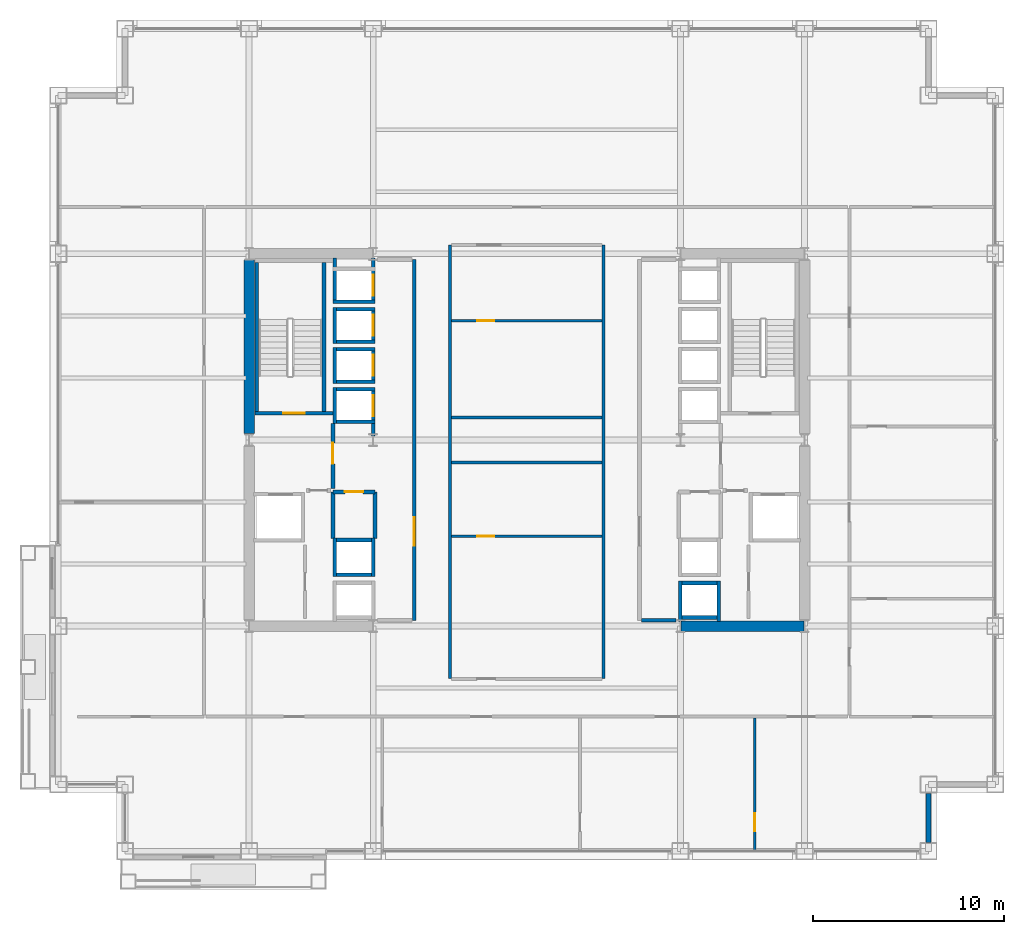
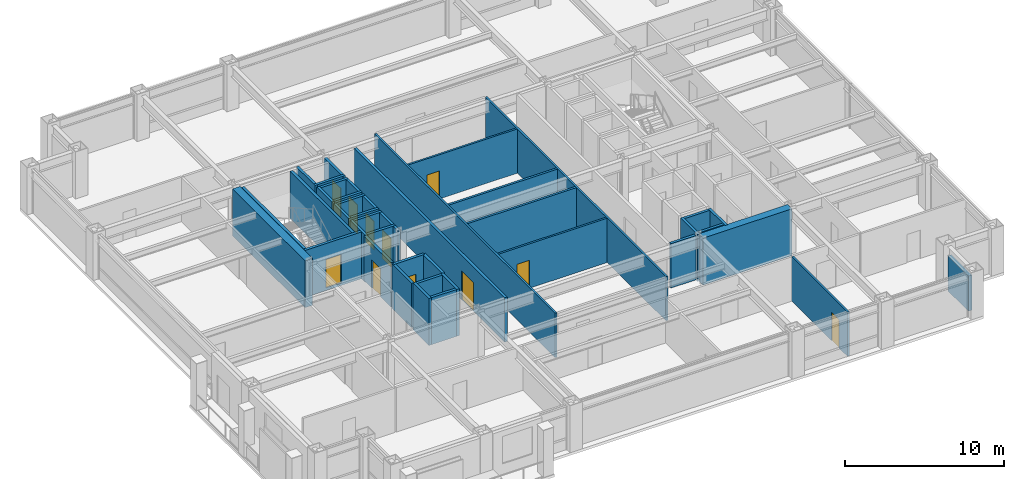
# One storey, part 25 of 29: 42 walls, 11 doors, 11 openings.
"""IFC4 building model written with IfcOpenShell, lengths in metres."""

from ifc_helpers import new_model, si_unit, direction, frame, frame_2d, origin, place, context, subcontext, project, spatial, rectangle, extrude, material, layer, layer_set, type_object, element, fill, save


model = new_model("IFC4")

# Units and contexts
model_context = context("Model", 3, precision=1e-05, world=origin(), true_north=direction((0.0, 1.0)))
body_context = subcontext(model_context, "Body", "Model", "MODEL_VIEW")
ifc_project = project(units=[si_unit("LENGTHUNIT", "METRE"), si_unit("AREAUNIT", "SQUARE_METRE"), si_unit("VOLUMEUNIT", "CUBIC_METRE"), si_unit("PLANEANGLEUNIT", "RADIAN"), si_unit("MASSUNIT", "GRAM", prefix="KILO")], contexts=[model_context])

# Site, building, storey
site_placement = place(None, origin())
site = spatial("IfcSite", under=ifc_project, at=site_placement, CompositionType="ELEMENT")
building_placement = place(site_placement, origin())
building = spatial("IfcBuilding", under=site, at=building_placement, Name="Brelmoor Portico Tower", CompositionType="ELEMENT")
storey_placement = place(building_placement, frame((0.0, 0.0, 60.0)))
storey = spatial("IfcBuildingStorey", under=building, at=storey_placement, Name="L15", CompositionType="ELEMENT", Elevation=60.0)

# Walls
ifc_material_1 = material(Name="Concrete C60", Category="concrete")
ifc_layer_1 = layer(ifc_material_1, 0.550048828125)
ifc_layer_set_1 = layer_set([ifc_layer_1], Name="Concrete C60")
wall_type_1 = type_object("IfcWallType", Name="WL-CORE-550", PredefinedType="SHEAR", material=ifc_layer_set_1)
wall_1_placement = place(storey_placement, frame((-14.550048828125, 0.324951171875, -0.199951171875), z_axis=(0.0, 0.0, 1.0), x_axis=(0.0, 1.0, 0.0)))
element("IfcWall", 1, at=wall_1_placement, inside=storey, type_object=wall_type_1, Name="L15 WC Outer North Shear Wall", PredefinedType="SHEAR", context=body_context, shape_type="SweptSolid", body=[
    extrude(rectangle(XDim=9.10009765625, YDim=0.550048828125, at=frame_2d((4.550048828125, 0.0))), origin(), (0.0, 0.0, 1.0), 3.599853515625),
])
wall_2_placement = place(storey_placement, frame((8.070068359375, -9.75, -0.199951171875), z_axis=(0.0, 0.0, 1.0), x_axis=(1.0, 0.0, 0.0)))
element("IfcWall", 2, at=wall_2_placement, inside=storey, type_object=wall_type_1, Name="L15 EC South Shear Wall", PredefinedType="SHEAR", context=body_context, shape_type="SweptSolid", body=[
    extrude(rectangle(XDim=6.4599609375, YDim=0.550048828125, at=frame_2d((3.22998046875, 0.0))), origin(), (0.0, 0.0, 1.0), 3.599853515625),
])
ifc_material_2 = material(Name="Precast Concrete C40 Insulated Facade Wall", Category="concrete")
ifc_layer_2 = layer(ifc_material_2, 0.25)
ifc_layer_set_2 = layer_set([ifc_layer_2], Name="Precast Concrete C40 Insulated Facade Wall")
wall_type_2 = type_object("IfcWallType", Name="WL-EXT-250", PredefinedType="STANDARD", material=ifc_layer_set_2)
wall_3_placement = place(storey_placement, frame((21.050048828125, -21.090087890625, 0.0), z_axis=(0.0, 0.0, 1.0), x_axis=(0.0, 1.0, 0.0)))
element("IfcWall", 3, at=wall_3_placement, inside=storey, type_object=wall_type_2, Name="L15 Corner Notch Facade Wall NSEV1", PredefinedType="STANDARD", context=body_context, shape_type="SweptSolid", body=[
    extrude(rectangle(XDim=2.580078125, YDim=0.25, at=frame_2d((1.2900390625, 0.0))), origin(), (0.0, 0.0, 1.0), 2.699951171875),
])
ifc_material_3 = material(Name="Insulated Stud Suite Partition", Category="gypsum")
ifc_layer_3 = layer(ifc_material_3, 0.139892578125)
ifc_layer_set_3 = layer_set([ifc_layer_3], Name="Insulated Stud Suite Partition")
wall_type_3 = type_object("IfcWallType", Name="WL-PART-140", PredefinedType="PARTITIONING", material=ifc_layer_set_3)
for number, where, z_axis, x_axis, name in (
    (4, (-4.02001953125, -12.5, 0.0), (0.0, 0.0, 1.0), (0.0, 1.0, 0.0), "L15 Central Suite West Wall"),
    (5, (4.02001953125, -12.5, 0.0), (0.0, 0.0, 1.0), (0.0, 1.0, 0.0), "L15 Central Suite East Wall"),
):
    element("IfcWall", number, at=place(storey_placement, frame(where, z_axis=z_axis, x_axis=x_axis)), inside=storey, type_object=wall_type_3, Name=name, PredefinedType="PARTITIONING", context=body_context, shape_type="SweptSolid", body=[
        extrude(rectangle(XDim=22.699951171875, YDim=0.139892578125, at=frame_2d((11.35009765625, 0.0))), origin(), (0.0, 0.0, 1.0), 3.39990234375),
    ])

# Wall, opening, door
wall_4_placement = place(storey_placement, frame((-3.949951171875, 6.239990234375, 0.0), z_axis=(0.0, 0.0, 1.0), x_axis=(1.0, 0.0, 0.0)))
wall_4 = element("IfcWall", 6, at=wall_4_placement, inside=storey, type_object=wall_type_3, Name="L15 Central Archive Divider", PredefinedType="PARTITIONING", context=body_context, shape_type="SweptSolid", body=[
    extrude(rectangle(XDim=7.89990234375, YDim=0.139892578125, at=frame_2d((3.949951171875, 0.0))), origin(), (0.0, 0.0, 1.0), 3.39990234375),
])
opening_1_placement = place(wall_4_placement, frame((1.35009765625, 0.0, 0.0)))
opening_1 = element("IfcOpeningElement", 7, at=opening_1_placement, cuts=wall_4, Name="Opening D-IN1", PredefinedType="OPENING", context=body_context, shape_type="SweptSolid", body=[
    extrude(rectangle(XDim=0.89990234375, YDim=2.14990234375, at=frame_2d((0.449951171875, 1.074951171875))), frame((0.0, 0.079833984375, 0.0), z_axis=(0.0, -1.0, 0.0), x_axis=(1.0, 0.0, 0.0)), (0.0, 0.0, 1.0), 0.159912109375),
])
ifc_material_4 = material(Name="Lacquered Timber Suite Door", Category="wood")
door_type_1 = type_object("IfcDoorType", Name="DR-INT-900", OperationType="NOTDEFINED", PredefinedType="DOOR", material=ifc_material_4)
door_1_placement = place(opening_1_placement, origin())
door_1 = element("IfcDoor", 8, at=door_1_placement, inside=storey, type_object=door_type_1, Name="D-0664 L15 Central File Room Door", OperationType="SINGLE_SWING_LEFT", OverallHeight=2.14990234375, OverallWidth=0.89990234375, PredefinedType="DOOR", context=body_context, shape_type="SweptSolid", body=[
    extrude(rectangle(XDim=0.89990234375, YDim=2.14990234375, at=frame_2d((0.449951171875, 1.074951171875))), frame((0.0, 0.02490234375, 0.0), z_axis=(0.0, -1.0, 0.0), x_axis=(1.0, 0.0, 0.0)), (0.0, 0.0, 1.0), 0.050048828125),
])
fill(opening_1, door_1)

wall_5_placement = place(storey_placement, frame((-3.949951171875, -5.050048828125, 0.0), z_axis=(0.0, 0.0, 1.0), x_axis=(1.0, 0.0, 0.0)))
wall_5 = element("IfcWall", 9, at=wall_5_placement, inside=storey, type_object=wall_type_3, Name="L15 Central Print Divider", PredefinedType="PARTITIONING", context=body_context, shape_type="SweptSolid", body=[
    extrude(rectangle(XDim=7.89990234375, YDim=0.139892578125, at=frame_2d((3.949951171875, 0.0))), origin(), (0.0, 0.0, 1.0), 3.39990234375),
])
opening_2_placement = place(wall_5_placement, frame((1.35009765625, 0.0, 0.0)))
opening_2 = element("IfcOpeningElement", 10, at=opening_2_placement, cuts=wall_5, Name="Opening D-IN1", PredefinedType="OPENING", context=body_context, shape_type="SweptSolid", body=[
    extrude(rectangle(XDim=0.89990234375, YDim=2.14990234375, at=frame_2d((0.449951171875, 1.074951171875))), frame((0.0, 0.079833984375, 0.0), z_axis=(0.0, -1.0, 0.0), x_axis=(1.0, 0.0, 0.0)), (0.0, 0.0, 1.0), 0.159912109375),
])
door_2_placement = place(opening_2_placement, origin())
door_2 = element("IfcDoor", 11, at=door_2_placement, inside=storey, type_object=door_type_1, Name="D-0666 L15 Central Print Studio Door", OperationType="SINGLE_SWING_RIGHT", OverallHeight=2.14990234375, OverallWidth=0.89990234375, PredefinedType="DOOR", context=body_context, shape_type="SweptSolid", body=[
    extrude(rectangle(XDim=0.89990234375, YDim=2.14990234375, at=frame_2d((0.449951171875, 1.074951171875))), frame((0.0, 0.02490234375, 0.0), z_axis=(0.0, -1.0, 0.0), x_axis=(1.0, 0.0, 0.0)), (0.0, 0.0, 1.0), 0.050048828125),
])
fill(opening_2, door_2)

wall_6_placement = place(storey_placement, frame((11.946044921875, -21.56005859375, 0.0), z_axis=(0.0, 0.0, 1.0), x_axis=(0.0, 1.0, 0.0)))
wall_6 = element("IfcWall", 12, at=wall_6_placement, inside=storey, type_object=wall_type_3, Name="L15 South Suite Partition 3", PredefinedType="PARTITIONING", context=body_context, shape_type="SweptSolid", body=[
    extrude(rectangle(XDim=7.0, YDim=0.139892578125, at=frame_2d((3.5, 0.0))), origin(), (0.0, 0.0, 1.0), 3.39990234375),
])
opening_3_placement = place(wall_6_placement, frame((1.050048828125, 0.0, 0.0)))
opening_3 = element("IfcOpeningElement", 13, at=opening_3_placement, cuts=wall_6, Name="Opening D-IN2", PredefinedType="OPENING", context=body_context, shape_type="SweptSolid", body=[
    extrude(rectangle(XDim=0.9599609375, YDim=2.179931640625, at=frame_2d((0.47998046875, 1.08984375))), frame((0.0, 0.079833984375, 0.0), z_axis=(0.0, -1.0, 0.0), x_axis=(1.0, 0.0, 0.0)), (0.0, 0.0, 1.0), 0.159912109375),
])
door_type_2 = type_object("IfcDoorType", Name="DR-INT-950", OperationType="NOTDEFINED", PredefinedType="DOOR", material=ifc_material_4)
door_3_placement = place(opening_3_placement, origin())
door_3 = element("IfcDoor", 14, at=door_3_placement, inside=storey, type_object=door_type_2, Name="D-0686 L15 South Suite Connecting Door 3", OperationType="SINGLE_SWING_LEFT", OverallHeight=2.179931640625, OverallWidth=0.9599609375, PredefinedType="DOOR", context=body_context, shape_type="SweptSolid", body=[
    extrude(rectangle(XDim=0.9599609375, YDim=2.179931640625, at=frame_2d((0.47998046875, 1.08984375))), frame((0.0, 0.02490234375, 0.0), z_axis=(0.0, -1.0, 0.0), x_axis=(1.0, 0.0, 0.0)), (0.0, 0.0, 1.0), 0.050048828125),
])
fill(opening_3, door_3)

# Walls
ifc_material_5 = material(Name="Twin-Frame Acoustic Partition", Category="gypsum")
ifc_layer_4 = layer(ifc_material_5, 0.159912109375)
ifc_layer_set_4 = layer_set([ifc_layer_4], Name="Twin-Frame Acoustic Partition")
wall_type_4 = type_object("IfcWallType", Name="WL-PART-160", PredefinedType="PARTITIONING", material=ifc_layer_set_4)
for number, where, z_axis, x_axis, name in (
    (15, (-3.949951171875, 1.179931640625, 0.0), (0.0, 0.0, 1.0), (1.0, 0.0, 0.0), "L15 Central Meeting South Wall"),
    (16, (-3.949951171875, -1.179931640625, 0.0), (0.0, 0.0, 1.0), (1.0, 0.0, 0.0), "L15 Central Pantry North Wall"),
):
    element("IfcWall", number, at=place(storey_placement, frame(where, z_axis=z_axis, x_axis=x_axis)), inside=storey, type_object=wall_type_4, Name=name, PredefinedType="PARTITIONING", context=body_context, shape_type="SweptSolid", body=[
        extrude(rectangle(XDim=7.89990234375, YDim=0.159912109375, at=frame_2d((3.949951171875, 0.0))), origin(), (0.0, 0.0, 1.0), 3.39990234375),
    ])

# Wall, opening, door
ifc_material_6 = material(Name="Double-Stud Gypsum Fire Partition", Category="gypsum")
ifc_layer_5 = layer(ifc_material_6, 0.199951171875)
ifc_layer_set_5 = layer_set([ifc_layer_5], Name="Double-Stud Gypsum Fire Partition")
wall_type_5 = type_object("IfcWallType", Name="WL-PART-200", PredefinedType="PARTITIONING", material=ifc_layer_set_5)
wall_7_placement = place(storey_placement, frame((-5.89990234375, -9.449951171875, 0.0), z_axis=(0.0, 0.0, 1.0), x_axis=(0.0, 1.0, 0.0)))
wall_7 = element("IfcWall", 17, at=wall_7_placement, inside=storey, type_object=wall_type_5, Name="L15 W Core Lobby Compartment Wall", PredefinedType="PARTITIONING", context=body_context, shape_type="SweptSolid", body=[
    extrude(rectangle(XDim=18.89990234375, YDim=0.199951171875, at=frame_2d((9.449951171875, 0.0))), origin(), (0.0, 0.0, 1.0), 3.39990234375),
])
opening_4_placement = place(wall_7_placement, frame((3.89990234375, 0.0, 0.0)))
opening_4 = element("IfcOpeningElement", 18, at=opening_4_placement, cuts=wall_7, Name="Opening D-LB1", PredefinedType="OPENING", context=body_context, shape_type="SweptSolid", body=[
    extrude(rectangle(XDim=1.5, YDim=2.199951171875, at=frame_2d((0.75, 1.10009765625))), frame((0.0, 0.10986328125, 0.0), z_axis=(0.0, -1.0, 0.0), x_axis=(1.0, 0.0, 0.0)), (0.0, 0.0, 1.0), 0.219970703125),
])
ifc_material_7 = material(Name="Double-Leaf Glazed Steel Fire Door", Category="steel")
door_type_3 = type_object("IfcDoorType", Name="DR-LOBBY-1500", OperationType="NOTDEFINED", PredefinedType="DOOR", material=ifc_material_7)
door_4_placement = place(opening_4_placement, origin())
door_4 = element("IfcDoor", 19, at=door_4_placement, inside=storey, type_object=door_type_3, Name="D-0676 L15 W Lift Lobby Main Door", OperationType="DOUBLE_DOOR_SINGLE_SWING", OverallHeight=2.199951171875, OverallWidth=1.5, PredefinedType="DOOR", context=body_context, shape_type="SweptSolid", body=[
    extrude(rectangle(XDim=1.5, YDim=2.199951171875, at=frame_2d((0.75, 1.10009765625))), frame((0.0, 0.02490234375, 0.0), z_axis=(0.0, -1.0, 0.0), x_axis=(1.0, 0.0, 0.0)), (0.0, 0.0, 1.0), 0.050048828125),
])
fill(opening_4, door_4)

wall_8_placement = place(storey_placement, frame((-10.159912109375, -2.550048828125, 0.0), z_axis=(0.0, 0.0, 1.0), x_axis=(0.0, 1.0, 0.0)))
wall_8 = element("IfcWall", 20, at=wall_8_placement, inside=storey, type_object=wall_type_5, Name="L15 W Firefighting Lobby Wall", PredefinedType="PARTITIONING", context=body_context, shape_type="SweptSolid", body=[
    extrude(rectangle(XDim=3.400146484375, YDim=0.199951171875, at=frame_2d((1.7001953125, 0.0))), origin(), (0.0, 0.0, 1.0), 3.39990234375),
])
opening_5_placement = place(wall_8_placement, frame((1.300048828125, 0.0, 0.0)))
opening_5 = element("IfcOpeningElement", 21, at=opening_5_placement, cuts=wall_8, Name="Opening D-FR1", PredefinedType="OPENING", context=body_context, shape_type="SweptSolid", body=[
    extrude(rectangle(XDim=1.10009765625, YDim=2.14990234375, at=frame_2d((0.550048828125, 1.074951171875))), frame((0.0, 0.10986328125, 0.0), z_axis=(0.0, -1.0, 0.0), x_axis=(1.0, 0.0, 0.0)), (0.0, 0.0, 1.0), 0.219970703125),
])
ifc_material_8 = material(Name="Painted Galvanised Steel Fire Door", Category="steel")
door_type_4 = type_object("IfcDoorType", Name="DR-FIRE-1100", OperationType="NOTDEFINED", PredefinedType="DOOR", material=ifc_material_8)
door_5_placement = place(opening_5_placement, origin())
door_5 = element("IfcDoor", 22, at=door_5_placement, inside=storey, type_object=door_type_4, Name="D-0674 L15 W Firefighting Lobby Door", OperationType="SINGLE_SWING_LEFT", OverallHeight=2.14990234375, OverallWidth=1.10009765625, PredefinedType="DOOR", context=body_context, shape_type="SweptSolid", body=[
    extrude(rectangle(XDim=1.10009765625, YDim=2.14990234375, at=frame_2d((0.550048828125, 1.074951171875))), frame((0.0, 0.02490234375, 0.0), z_axis=(0.0, -1.0, 0.0), x_axis=(1.0, 0.0, 0.0)), (0.0, 0.0, 1.0), 0.050048828125),
])
fill(opening_5, door_5)

wall_9_placement = place(storey_placement, frame((-7.9599609375, -2.719970703125, 0.0), z_axis=(0.0, 0.0, 1.0), x_axis=(-1.0, 0.0, 0.0)))
wall_9 = element("IfcWall", 23, at=wall_9_placement, inside=storey, type_object=wall_type_5, Name="L15 W Electrical Switchgear Closet Wall", PredefinedType="PARTITIONING", context=body_context, shape_type="SweptSolid", body=[
    extrude(rectangle(XDim=2.199951171875, YDim=0.199951171875, at=frame_2d((1.10009765625, 0.0))), origin(), (0.0, 0.0, 1.0), 3.39990234375),
])
opening_6_placement = place(wall_9_placement, frame((0.6201171875, 0.0, 0.0)))
opening_6 = element("IfcOpeningElement", 24, at=opening_6_placement, cuts=wall_9, Name="Opening D-FR4", PredefinedType="OPENING", context=body_context, shape_type="SweptSolid", body=[
    extrude(rectangle(XDim=0.949951171875, YDim=2.10009765625, at=frame_2d((0.47509765625, 1.050048828125))), frame((0.0, 0.10986328125, 0.0), z_axis=(0.0, -1.0, 0.0), x_axis=(1.0, 0.0, 0.0)), (0.0, 0.0, 1.0), 0.219970703125),
])
ifc_material_9 = material(Name="Painted Galvanised Steel Riser Door", Category="steel")
door_type_5 = type_object("IfcDoorType", Name="DR-FIRE-950", OperationType="NOTDEFINED", PredefinedType="DOOR", material=ifc_material_9)
door_6_placement = place(opening_6_placement, origin())
door_6 = element("IfcDoor", 25, at=door_6_placement, inside=storey, type_object=door_type_5, Name="D-0672 L15 W Electrical Switchgear Closet Door", OperationType="SINGLE_SWING_LEFT", OverallHeight=2.10009765625, OverallWidth=0.949951171875, PredefinedType="DOOR", context=body_context, shape_type="SweptSolid", body=[
    extrude(rectangle(XDim=0.949951171875, YDim=2.10009765625, at=frame_2d((0.47509765625, 1.050048828125))), frame((0.0, 0.02490234375, 0.0), z_axis=(0.0, -1.0, 0.0), x_axis=(1.0, 0.0, 0.0)), (0.0, 0.0, 1.0), 0.050048828125),
])
fill(opening_6, door_6)

# Walls
for number, where, z_axis, x_axis, name in (
    (26, (-7.9599609375, -5.159912109375, 0.0), (0.0, 0.0, 1.0), (0.0, 1.0, 0.0), "L15 W Electrical Switchgear Closet Inner Wall"),
    (27, (-10.159912109375, -5.159912109375, 0.0), (0.0, 0.0, 1.0), (0.0, 1.0, 0.0), "L15 W Electrical Switchgear Closet Outer Wall"),
):
    element("IfcWall", number, at=place(storey_placement, frame(where, z_axis=z_axis, x_axis=x_axis)), inside=storey, type_object=wall_type_5, Name=name, PredefinedType="PARTITIONING", context=body_context, shape_type="SweptSolid", body=[
        extrude(rectangle(XDim=2.43994140625, YDim=0.199951171875, at=frame_2d((1.219970703125, 0.0))), origin(), (0.0, 0.0, 1.0), 3.39990234375),
    ])
wall_10_placement = place(storey_placement, frame((6.02001953125, -9.449951171875, 0.0), z_axis=(0.0, 0.0, 1.0), x_axis=(1.0, 0.0, 0.0)))
element("IfcWall", 28, at=wall_10_placement, inside=storey, type_object=wall_type_5, Name="L15 E Lift Lobby South End Wall", PredefinedType="PARTITIONING", context=body_context, shape_type="SweptSolid", body=[
    extrude(rectangle(XDim=1.800048828125, YDim=0.199951171875, at=frame_2d((0.89990234375, 0.0))), origin(), (0.0, 0.0, 1.0), 3.39990234375),
])

# Wall, opening, door
ifc_material_10 = material(Name="Precast Concrete C40", Category="concrete")
ifc_layer_6 = layer(ifc_material_10, 0.18994140625)
ifc_layer_set_6 = layer_set([ifc_layer_6], Name="Precast Concrete C40")
wall_type_6 = type_object("IfcWallType", Name="WL-SHAFT-180", PredefinedType="SOLIDWALL", material=ifc_layer_set_6)
wall_11_placement = place(storey_placement, frame((-8.044921875, 0.2099609375, -0.199951171875), z_axis=(0.0, 0.0, 1.0), x_axis=(0.0, 1.0, 0.0)))
wall_11 = element("IfcWall", 29, at=wall_11_placement, inside=storey, type_object=wall_type_6, Name="L15 Lift PL1 Hoistway Front Wall", PredefinedType="SOLIDWALL", context=body_context, shape_type="SweptSolid", body=[
    extrude(rectangle(XDim=2.5400390625, YDim=0.18994140625, at=frame_2d((1.27001953125, 0.0))), origin(), (0.0, 0.0, 1.0), 3.599853515625),
])
opening_7_placement = place(wall_11_placement, frame((1.0400390625, 0.0, 0.199951171875)))
opening_7 = element("IfcOpeningElement", 30, at=opening_7_placement, cuts=wall_11, Name="Opening LD-01", PredefinedType="OPENING", context=body_context, shape_type="SweptSolid", body=[
    extrude(rectangle(XDim=1.10009765625, YDim=2.199951171875, at=frame_2d((0.550048828125, 1.10009765625))), frame((0.0, 0.10498046875, 0.0), z_axis=(0.0, -1.0, 0.0), x_axis=(1.0, 0.0, 0.0)), (0.0, 0.0, 1.0), 0.2099609375),
])
ifc_material_11 = material(Name="Brushed Stainless Steel Sliding Lift Door", Category="steel")
door_type_6 = type_object("IfcDoorType", Name="DR-LIFT-1100", OperationType="NOTDEFINED", PredefinedType="DOOR", material=ifc_material_11)
door_7_placement = place(opening_7_placement, origin())
door_7 = element("IfcDoor", 31, at=door_7_placement, inside=storey, type_object=door_type_6, Name="D-0703 L15 Lift PL1 Sliding Landing Door", OperationType="SLIDING_TO_LEFT", OverallHeight=2.199951171875, OverallWidth=1.10009765625, PredefinedType="DOOR", context=body_context, shape_type="SweptSolid", body=[
    extrude(rectangle(XDim=1.10009765625, YDim=2.199951171875, at=frame_2d((0.550048828125, 1.10009765625))), frame((0.0, 0.02490234375, 0.0), z_axis=(0.0, -1.0, 0.0), x_axis=(1.0, 0.0, 0.0)), (0.0, 0.0, 1.0), 0.050048828125),
])
fill(opening_7, door_7)

# Walls
wall_12_placement = place(storey_placement, frame((-10.054931640625, 0.85009765625, -0.199951171875), z_axis=(0.0, 0.0, 1.0), x_axis=(0.0, 1.0, 0.0)))
element("IfcWall", 32, at=wall_12_placement, inside=storey, type_object=wall_type_6, Name="L15 Lift PL1 Hoistway Back Wall", PredefinedType="SOLIDWALL", context=body_context, shape_type="SweptSolid", body=[
    extrude(rectangle(XDim=1.89990234375, YDim=0.18994140625, at=frame_2d((0.949951171875, 0.0))), origin(), (0.0, 0.0, 1.0), 3.599853515625),
])
for number, where, z_axis, x_axis, name in (
    (33, (-10.14990234375, 2.655029296875, -0.199951171875), (0.0, 0.0, 1.0), (1.0, 0.0, 0.0), "L15 Lift PL1 Hoistway North Wall"),
    (34, (-10.14990234375, 0.945068359375, -0.199951171875), (0.0, 0.0, 1.0), (1.0, 0.0, 0.0), "L15 Lift PL1 Hoistway South Wall"),
):
    element("IfcWall", number, at=place(storey_placement, frame(where, z_axis=z_axis, x_axis=x_axis)), inside=storey, type_object=wall_type_6, Name=name, PredefinedType="SOLIDWALL", context=body_context, shape_type="SweptSolid", body=[
        extrude(rectangle(XDim=2.199951171875, YDim=0.18994140625, at=frame_2d((1.10009765625, 0.0))), origin(), (0.0, 0.0, 1.0), 3.599853515625),
    ])

# Wall, opening, door
wall_13_placement = place(storey_placement, frame((-8.044921875, 2.949951171875, -0.199951171875), z_axis=(0.0, 0.0, 1.0), x_axis=(0.0, 1.0, 0.0)))
wall_13 = element("IfcWall", 35, at=wall_13_placement, inside=storey, type_object=wall_type_6, Name="L15 Lift PL2 Hoistway Front Wall", PredefinedType="SOLIDWALL", context=body_context, shape_type="SweptSolid", body=[
    extrude(rectangle(XDim=1.900146484375, YDim=0.18994140625, at=frame_2d((0.9501953125, 0.0))), origin(), (0.0, 0.0, 1.0), 3.599853515625),
])
opening_8_placement = place(wall_13_placement, frame((0.39990234375, 0.0, 0.199951171875)))
opening_8 = element("IfcOpeningElement", 36, at=opening_8_placement, cuts=wall_13, Name="Opening LD-01", PredefinedType="OPENING", context=body_context, shape_type="SweptSolid", body=[
    extrude(rectangle(XDim=1.10009765625, YDim=2.199951171875, at=frame_2d((0.550048828125, 1.10009765625))), frame((0.0, 0.10498046875, 0.0), z_axis=(0.0, -1.0, 0.0), x_axis=(1.0, 0.0, 0.0)), (0.0, 0.0, 1.0), 0.2099609375),
])
door_8_placement = place(opening_8_placement, origin())
door_8 = element("IfcDoor", 37, at=door_8_placement, inside=storey, type_object=door_type_6, Name="D-0704 L15 Lift PL2 Sliding Landing Door", OperationType="SLIDING_TO_LEFT", OverallHeight=2.199951171875, OverallWidth=1.10009765625, PredefinedType="DOOR", context=body_context, shape_type="SweptSolid", body=[
    extrude(rectangle(XDim=1.10009765625, YDim=2.199951171875, at=frame_2d((0.550048828125, 1.10009765625))), frame((0.0, 0.02490234375, 0.0), z_axis=(0.0, -1.0, 0.0), x_axis=(1.0, 0.0, 0.0)), (0.0, 0.0, 1.0), 0.050048828125),
])
fill(opening_8, door_8)

# Walls
wall_14_placement = place(storey_placement, frame((-10.054931640625, 2.949951171875, -0.199951171875), z_axis=(0.0, 0.0, 1.0), x_axis=(0.0, 1.0, 0.0)))
element("IfcWall", 38, at=wall_14_placement, inside=storey, type_object=wall_type_6, Name="L15 Lift PL2 Hoistway Back Wall", PredefinedType="SOLIDWALL", context=body_context, shape_type="SweptSolid", body=[
    extrude(rectangle(XDim=1.900146484375, YDim=0.18994140625, at=frame_2d((0.9501953125, 0.0))), origin(), (0.0, 0.0, 1.0), 3.599853515625),
])
for number, where, z_axis, x_axis, name in (
    (39, (-10.14990234375, 4.7548828125, -0.199951171875), (0.0, 0.0, 1.0), (1.0, 0.0, 0.0), "L15 Lift PL2 Hoistway North Wall"),
    (40, (-10.14990234375, 3.044921875, -0.199951171875), (0.0, 0.0, 1.0), (1.0, 0.0, 0.0), "L15 Lift PL2 Hoistway South Wall"),
):
    element("IfcWall", number, at=place(storey_placement, frame(where, z_axis=z_axis, x_axis=x_axis)), inside=storey, type_object=wall_type_6, Name=name, PredefinedType="SOLIDWALL", context=body_context, shape_type="SweptSolid", body=[
        extrude(rectangle(XDim=2.199951171875, YDim=0.18994140625, at=frame_2d((1.10009765625, 0.0))), origin(), (0.0, 0.0, 1.0), 3.599853515625),
    ])

# Wall, opening, door
wall_15_placement = place(storey_placement, frame((-8.044921875, 5.050048828125, -0.199951171875), z_axis=(0.0, 0.0, 1.0), x_axis=(0.0, 1.0, 0.0)))
wall_15 = element("IfcWall", 41, at=wall_15_placement, inside=storey, type_object=wall_type_6, Name="L15 Lift PL3 Hoistway Front Wall", PredefinedType="SOLIDWALL", context=body_context, shape_type="SweptSolid", body=[
    extrude(rectangle(XDim=1.89990234375, YDim=0.18994140625, at=frame_2d((0.949951171875, 0.0))), origin(), (0.0, 0.0, 1.0), 3.599853515625),
])
opening_9_placement = place(wall_15_placement, frame((0.39990234375, 0.0, 0.199951171875)))
opening_9 = element("IfcOpeningElement", 42, at=opening_9_placement, cuts=wall_15, Name="Opening LD-01", PredefinedType="OPENING", context=body_context, shape_type="SweptSolid", body=[
    extrude(rectangle(XDim=1.10009765625, YDim=2.199951171875, at=frame_2d((0.550048828125, 1.10009765625))), frame((0.0, 0.10498046875, 0.0), z_axis=(0.0, -1.0, 0.0), x_axis=(1.0, 0.0, 0.0)), (0.0, 0.0, 1.0), 0.2099609375),
])
door_9_placement = place(opening_9_placement, origin())
door_9 = element("IfcDoor", 43, at=door_9_placement, inside=storey, type_object=door_type_6, Name="D-0705 L15 Lift PL3 Sliding Landing Door", OperationType="SLIDING_TO_LEFT", OverallHeight=2.199951171875, OverallWidth=1.10009765625, PredefinedType="DOOR", context=body_context, shape_type="SweptSolid", body=[
    extrude(rectangle(XDim=1.10009765625, YDim=2.199951171875, at=frame_2d((0.550048828125, 1.10009765625))), frame((0.0, 0.02490234375, 0.0), z_axis=(0.0, -1.0, 0.0), x_axis=(1.0, 0.0, 0.0)), (0.0, 0.0, 1.0), 0.050048828125),
])
fill(opening_9, door_9)

# Walls
wall_16_placement = place(storey_placement, frame((-10.054931640625, 5.050048828125, -0.199951171875), z_axis=(0.0, 0.0, 1.0), x_axis=(0.0, 1.0, 0.0)))
element("IfcWall", 44, at=wall_16_placement, inside=storey, type_object=wall_type_6, Name="L15 Lift PL3 Hoistway Back Wall", PredefinedType="SOLIDWALL", context=body_context, shape_type="SweptSolid", body=[
    extrude(rectangle(XDim=1.89990234375, YDim=0.18994140625, at=frame_2d((0.949951171875, 0.0))), origin(), (0.0, 0.0, 1.0), 3.599853515625),
])
for number, where, z_axis, x_axis, name in (
    (45, (-10.14990234375, 6.85498046875, -0.199951171875), (0.0, 0.0, 1.0), (1.0, 0.0, 0.0), "L15 Lift PL3 Hoistway North Wall"),
    (46, (-10.14990234375, 5.14501953125, -0.199951171875), (0.0, 0.0, 1.0), (1.0, 0.0, 0.0), "L15 Lift PL3 Hoistway South Wall"),
):
    element("IfcWall", number, at=place(storey_placement, frame(where, z_axis=z_axis, x_axis=x_axis)), inside=storey, type_object=wall_type_6, Name=name, PredefinedType="SOLIDWALL", context=body_context, shape_type="SweptSolid", body=[
        extrude(rectangle(XDim=2.199951171875, YDim=0.18994140625, at=frame_2d((1.10009765625, 0.0))), origin(), (0.0, 0.0, 1.0), 3.599853515625),
    ])

# Wall, opening, door
wall_17_placement = place(storey_placement, frame((-8.044921875, 7.14990234375, -0.199951171875), z_axis=(0.0, 0.0, 1.0), x_axis=(0.0, 1.0, 0.0)))
wall_17 = element("IfcWall", 47, at=wall_17_placement, inside=storey, type_object=wall_type_6, Name="L15 Lift PL4 Hoistway Front Wall", PredefinedType="SOLIDWALL", context=body_context, shape_type="SweptSolid", body=[
    extrude(rectangle(XDim=2.3701171875, YDim=0.18994140625, at=frame_2d((1.18505859375, 0.0))), origin(), (0.0, 0.0, 1.0), 3.599853515625),
])
opening_10_placement = place(wall_17_placement, frame((0.39990234375, 0.0, 0.199951171875)))
opening_10 = element("IfcOpeningElement", 48, at=opening_10_placement, cuts=wall_17, Name="Opening LD-01", PredefinedType="OPENING", context=body_context, shape_type="SweptSolid", body=[
    extrude(rectangle(XDim=1.10009765625, YDim=2.199951171875, at=frame_2d((0.550048828125, 1.10009765625))), frame((0.0, 0.10498046875, 0.0), z_axis=(0.0, -1.0, 0.0), x_axis=(1.0, 0.0, 0.0)), (0.0, 0.0, 1.0), 0.2099609375),
])
door_10_placement = place(opening_10_placement, origin())
door_10 = element("IfcDoor", 49, at=door_10_placement, inside=storey, type_object=door_type_6, Name="D-0706 L15 Lift PL4 Sliding Landing Door", OperationType="SLIDING_TO_LEFT", OverallHeight=2.199951171875, OverallWidth=1.10009765625, PredefinedType="DOOR", context=body_context, shape_type="SweptSolid", body=[
    extrude(rectangle(XDim=1.10009765625, YDim=2.199951171875, at=frame_2d((0.550048828125, 1.10009765625))), frame((0.0, 0.02490234375, 0.0), z_axis=(0.0, -1.0, 0.0), x_axis=(1.0, 0.0, 0.0)), (0.0, 0.0, 1.0), 0.050048828125),
])
fill(opening_10, door_10)

# Walls
wall_18_placement = place(storey_placement, frame((-10.054931640625, 7.14990234375, -0.199951171875), z_axis=(0.0, 0.0, 1.0), x_axis=(0.0, 1.0, 0.0)))
element("IfcWall", 50, at=wall_18_placement, inside=storey, type_object=wall_type_6, Name="L15 Lift PL4 Hoistway Back Wall", PredefinedType="SOLIDWALL", context=body_context, shape_type="SweptSolid", body=[
    extrude(rectangle(XDim=2.3701171875, YDim=0.18994140625, at=frame_2d((1.18505859375, 0.0))), origin(), (0.0, 0.0, 1.0), 3.599853515625),
])
wall_19_placement = place(storey_placement, frame((-10.14990234375, 7.2451171875, -0.199951171875), z_axis=(0.0, 0.0, 1.0), x_axis=(1.0, 0.0, 0.0)))
element("IfcWall", 51, at=wall_19_placement, inside=storey, type_object=wall_type_6, Name="L15 Lift PL4 Hoistway South Wall", PredefinedType="SOLIDWALL", context=body_context, shape_type="SweptSolid", body=[
    extrude(rectangle(XDim=2.199951171875, YDim=0.18994140625, at=frame_2d((1.10009765625, 0.0))), origin(), (0.0, 0.0, 1.0), 3.599853515625),
])
for number, where, z_axis, x_axis, name in (
    (52, (-8.044921875, -7.14990234375, -0.199951171875), (0.0, 0.0, 1.0), (0.0, 1.0, 0.0), "L15 Lift PH2 Hoistway Front Wall"),
    (53, (-10.054931640625, -7.14990234375, -0.199951171875), (0.0, 0.0, 1.0), (0.0, 1.0, 0.0), "L15 Lift PH2 Hoistway Back Wall"),
):
    element("IfcWall", number, at=place(storey_placement, frame(where, z_axis=z_axis, x_axis=x_axis)), inside=storey, type_object=wall_type_6, Name=name, PredefinedType="SOLIDWALL", context=body_context, shape_type="SweptSolid", body=[
        extrude(rectangle(XDim=2.0, YDim=0.18994140625, at=frame_2d((1.0, 0.0))), origin(), (0.0, 0.0, 1.0), 3.599853515625),
    ])
for number, where, z_axis, x_axis, name in (
    (54, (-10.14990234375, -5.2451171875, -0.199951171875), (0.0, 0.0, 1.0), (1.0, 0.0, 0.0), "L15 Lift PH2 Hoistway North Wall"),
    (55, (-10.14990234375, -7.054931640625, -0.199951171875), (0.0, 0.0, 1.0), (1.0, 0.0, 0.0), "L15 Lift PH2 Hoistway South Wall"),
):
    element("IfcWall", number, at=place(storey_placement, frame(where, z_axis=z_axis, x_axis=x_axis)), inside=storey, type_object=wall_type_6, Name=name, PredefinedType="SOLIDWALL", context=body_context, shape_type="SweptSolid", body=[
        extrude(rectangle(XDim=2.199951171875, YDim=0.18994140625, at=frame_2d((1.10009765625, 0.0))), origin(), (0.0, 0.0, 1.0), 3.599853515625),
    ])
for number, where, z_axis, x_axis, name in (
    (56, (8.044921875, -9.52001953125, -0.199951171875), (0.0, 0.0, 1.0), (0.0, 1.0, 0.0), "L15 Lift PH3 Hoistway Front Wall"),
    (57, (10.054931640625, -9.52001953125, -0.199951171875), (0.0, 0.0, 1.0), (0.0, 1.0, 0.0), "L15 Lift PH3 Hoistway Back Wall"),
):
    element("IfcWall", number, at=place(storey_placement, frame(where, z_axis=z_axis, x_axis=x_axis)), inside=storey, type_object=wall_type_6, Name=name, PredefinedType="SOLIDWALL", context=body_context, shape_type="SweptSolid", body=[
        extrude(rectangle(XDim=2.1201171875, YDim=0.18994140625, at=frame_2d((1.06005859375, 0.0))), origin(), (0.0, 0.0, 1.0), 3.599853515625),
    ])
for number, where, z_axis, x_axis, name in (
    (58, (7.949951171875, -7.4951171875, -0.199951171875), (0.0, 0.0, 1.0), (1.0, 0.0, 0.0), "L15 Lift PH3 Hoistway North Wall"),
    (59, (7.949951171875, -9.304931640625, -0.199951171875), (0.0, 0.0, 1.0), (1.0, 0.0, 0.0), "L15 Lift PH3 Hoistway South Wall"),
):
    element("IfcWall", number, at=place(storey_placement, frame(where, z_axis=z_axis, x_axis=x_axis)), inside=storey, type_object=wall_type_6, Name=name, PredefinedType="SOLIDWALL", context=body_context, shape_type="SweptSolid", body=[
        extrude(rectangle(XDim=2.199951171875, YDim=0.18994140625, at=frame_2d((1.10009765625, 0.0))), origin(), (0.0, 0.0, 1.0), 3.599853515625),
    ])
ifc_material_12 = material(Name="Concrete C40", Category="concrete")
ifc_layer_7 = layer(ifc_material_12, 0.199951171875)
ifc_layer_set_7 = layer_set([ifc_layer_7], Name="Concrete C40")
wall_type_7 = type_object("IfcWallType", Name="WL-SHAFT-RC200", PredefinedType="SOLIDWALL", material=ifc_layer_set_7)
wall_20_placement = place(storey_placement, frame((-14.14990234375, 1.5, -0.199951171875), z_axis=(0.0, 0.0, 1.0), x_axis=(0.0, 1.0, 0.0)))
element("IfcWall", 60, at=wall_20_placement, inside=storey, type_object=wall_type_7, Name="L15 ST-W Structural Stair Wall Outer", PredefinedType="SOLIDWALL", context=body_context, shape_type="SweptSolid", body=[
    extrude(rectangle(XDim=7.800048828125, YDim=0.199951171875, at=frame_2d((3.89990234375, 0.0))), origin(), (0.0, 0.0, 1.0), 3.599853515625),
])

# Wall, opening, door
wall_21_placement = place(storey_placement, frame((-14.25, 1.39990234375, -0.199951171875), z_axis=(0.0, 0.0, 1.0), x_axis=(1.0, 0.0, 0.0)))
wall_21 = element("IfcWall", 61, at=wall_21_placement, inside=storey, type_object=wall_type_7, Name="L15 ST-W Structural Stair Wall S", PredefinedType="SOLIDWALL", context=body_context, shape_type="SweptSolid", body=[
    extrude(rectangle(XDim=4.10009765625, YDim=0.199951171875, at=frame_2d((2.050048828125, 0.0))), origin(), (0.0, 0.0, 1.0), 3.599853515625),
])
opening_11_placement = place(wall_21_placement, frame((1.5, 0.0, 0.199951171875)))
opening_11 = element("IfcOpeningElement", 62, at=opening_11_placement, cuts=wall_21, Name="Opening D-ST1", PredefinedType="OPENING", context=body_context, shape_type="SweptSolid", body=[
    extrude(rectangle(XDim=1.1201171875, YDim=2.179931640625, at=frame_2d((0.56005859375, 1.08984375))), frame((0.0, 0.10986328125, 0.0), z_axis=(0.0, -1.0, 0.0), x_axis=(1.0, 0.0, 0.0)), (0.0, 0.0, 1.0), 0.219970703125),
])
door_type_7 = type_object("IfcDoorType", Name="DR-STAIR-1100", OperationType="NOTDEFINED", PredefinedType="DOOR", material=ifc_material_8)
door_11_placement = place(opening_11_placement, origin())
door_11 = element("IfcDoor", 63, at=door_11_placement, inside=storey, type_object=door_type_7, Name="D-0688 L15 ST-W Protected Exit Stair Door", OperationType="SINGLE_SWING_LEFT", OverallHeight=2.179931640625, OverallWidth=1.1201171875, PredefinedType="DOOR", context=body_context, shape_type="SweptSolid", body=[
    extrude(rectangle(XDim=1.1201171875, YDim=2.179931640625, at=frame_2d((0.56005859375, 1.08984375))), frame((0.0, 0.02490234375, 0.0), z_axis=(0.0, -1.0, 0.0), x_axis=(1.0, 0.0, 0.0)), (0.0, 0.0, 1.0), 0.050048828125),
])
fill(opening_11, door_11)

# Wall
wall_22_placement = place(storey_placement, frame((-10.6298828125, 1.5, -0.199951171875), z_axis=(0.0, 0.0, 1.0), x_axis=(0.0, 1.0, 0.0)))
element("IfcWall", 64, at=wall_22_placement, inside=storey, type_object=wall_type_7, Name="L15 ST-W Structural Stair Wall Inner", PredefinedType="SOLIDWALL", context=body_context, shape_type="SweptSolid", body=[
    extrude(rectangle(XDim=7.800048828125, YDim=0.199951171875, at=frame_2d((3.89990234375, 0.0))), origin(), (0.0, 0.0, 1.0), 3.599853515625),
])

save(model, "model.ifc")
